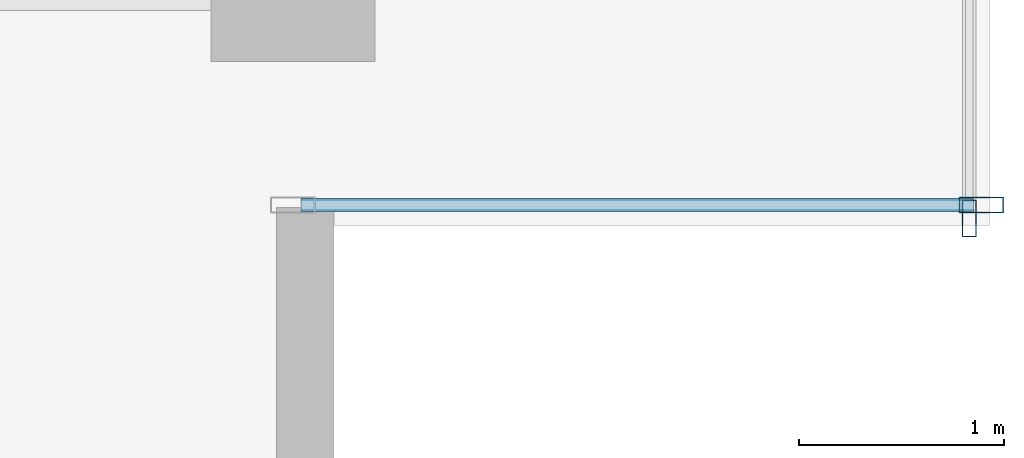
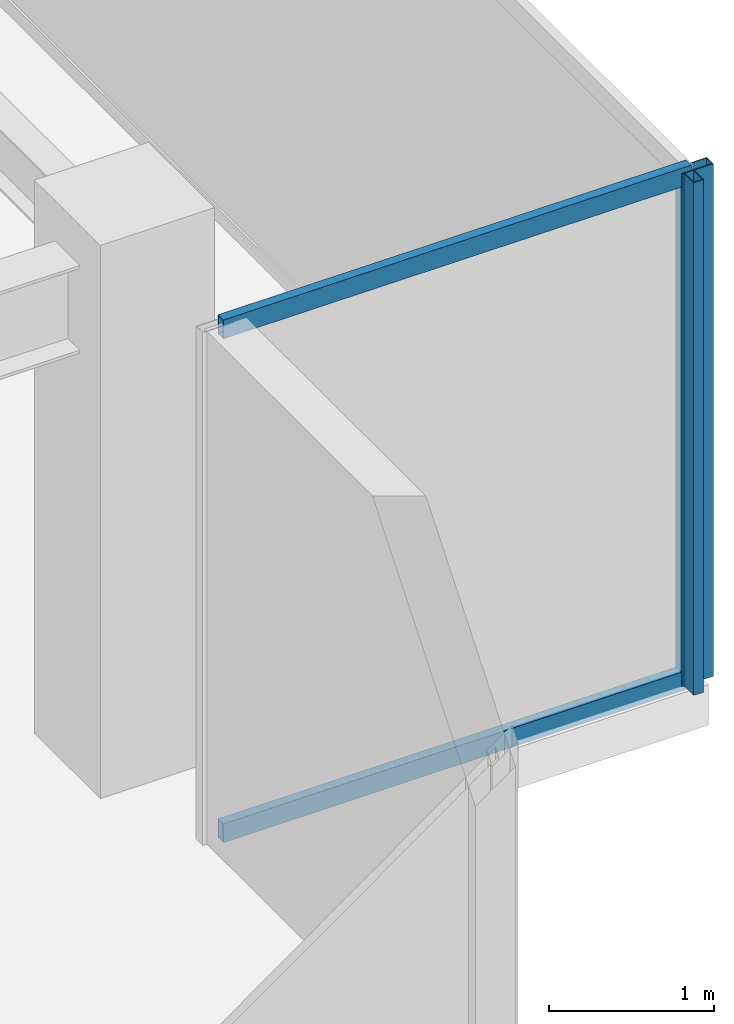
# One storey, part 22 of 33: 4 members, 2 elements without a shape of their own.
"""IFC4 building model written with IfcOpenShell, lengths in metres."""

from ifc_helpers import new_model, si_unit, direction, frame, origin, origin_2d, place, context, subcontext, project, spatial, hollow_rectangle, extrude, source, transform, mapped, material, layer, layer_set, material_profile, profile_set, type_object, type_shapes, element, aggregate, save


model = new_model("IFC4")

# Units and contexts
model_context = context("Model", 3, precision=1e-05, world=origin(), true_north=direction((0.0, 1.0)))
body_context = subcontext(model_context, "Body", "Model", "MODEL_VIEW")
ifc_project = project(units=[si_unit("LENGTHUNIT", "METRE"), si_unit("AREAUNIT", "SQUARE_METRE"), si_unit("VOLUMEUNIT", "CUBIC_METRE"), si_unit("PLANEANGLEUNIT", "RADIAN"), si_unit("MASSUNIT", "GRAM", prefix="KILO")], contexts=[model_context])

# Site, building, storey
site_placement = place(None, origin())
site = spatial("IfcSite", under=ifc_project, at=site_placement, CompositionType="ELEMENT")
building_placement = place(site_placement, origin())
building = spatial("IfcBuilding", under=site, at=building_placement, Name="Haelvirn Gate Laboratories", CompositionType="ELEMENT")
storey_placement = place(building_placement, frame((0.0, 0.0, 213.699951171875)))
storey = spatial("IfcBuildingStorey", under=building, at=storey_placement, Name="L51", CompositionType="ELEMENT", Elevation=213.699951171875)

# Curtain wall, members
ifc_material_1 = material(Name="Anodised bronze unitised aluminium & triple low-E glass", Category="aluminium")
ifc_layer_1 = layer(ifc_material_1, 0.181884765625, Name="CW-SYS-5")
ifc_layer_set_1 = layer_set([ifc_layer_1], Name="Anodised bronze unitised aluminium & triple low-E glass")
curtain_wall_type_1 = type_object("IfcCurtainWallType", Name="CW-SYS-5", PredefinedType="NOTDEFINED", material=ifc_layer_set_1)
curtain_wall_1_placement = place(storey_placement, origin())
curtain_wall_1 = element("IfcCurtainWall", 1, at=curtain_wall_1_placement, inside=storey, type_object=curtain_wall_type_1, Name="L51 Unitised Curtain Wall CW-L51-P0-E06-1", PredefinedType="NOTDEFINED")
ifc_material_2 = material(Name="Extruded aluminium 6063-T6 (anodised bronze)", Category="aluminium")
ifc_material_profile_1 = material_profile(ifc_material_2, hollow_rectangle(XDim=0.06494140625, YDim=0.139892578125, WallThickness=0.00390625, at=origin_2d()), Name="CWT-140x65x4")
ifc_profile_set_1 = profile_set([ifc_material_profile_1], Name="Extruded aluminium 6063-T6 (anodised bronze)")
member_type_1 = type_object("IfcMemberType", Name="CWT-T140", PredefinedType="USERDEFINED", material=ifc_profile_set_1)
shared_shape_1 = source(origin(), body_context, "Body", "SweptSolid", [
    extrude(hollow_rectangle(XDim=0.06494140625, YDim=0.139892578125, WallThickness=0.00390625, at=origin_2d()), origin(), (0.0, 0.0, 1.0), 3.280029296875),
])
type_shapes(member_type_1, [shared_shape_1])
member_1_placement = place(storey_placement, frame((67.43994140625, 5.89990234375, 0.032470703125), z_axis=(1.0, 0.0, 0.0), x_axis=(0.0, 1.0, 0.0)))
member_1 = element("IfcMember", 2, at=member_1_placement, type_object=member_type_1, Name="CW5 transom 1.1", ObjectType="TRANSOM", PredefinedType="USERDEFINED", context=body_context, shape_type="MappedRepresentation", body=[
    mapped(shared_shape_1, transform((0.0, 0.0, 0.0), scale=1.0)),
])
member_2_placement = place(storey_placement, frame((67.43994140625, 5.89990234375, 3.767578125), z_axis=(1.0, 0.0, 0.0), x_axis=(0.0, 1.0, 0.0)))
member_2 = element("IfcMember", 3, at=member_2_placement, type_object=member_type_1, Name="CW5 transom 1.2", ObjectType="TRANSOM", PredefinedType="USERDEFINED", context=body_context, shape_type="MappedRepresentation", body=[
    mapped(shared_shape_1, transform((0.0, 0.0, 0.0), scale=1.0)),
])

# Curtain wall, member
ifc_layer_2 = layer(ifc_material_1, 0.176025390625, Name="CW-SYS-4")
ifc_layer_set_2 = layer_set([ifc_layer_2], Name="Anodised bronze unitised aluminium & triple low-E glass")
curtain_wall_type_2 = type_object("IfcCurtainWallType", Name="CW-SYS-4", PredefinedType="NOTDEFINED", material=ifc_layer_set_2)
curtain_wall_2_placement = place(storey_placement, origin())
curtain_wall_2 = element("IfcCurtainWall", 4, at=curtain_wall_2_placement, inside=storey, type_object=curtain_wall_type_2, Name="L51 Unitised Curtain Wall CW-L51-P0-E07", PredefinedType="NOTDEFINED")
ifc_material_profile_2 = material_profile(ifc_material_2, hollow_rectangle(XDim=0.070068359375, YDim=0.179931640625, WallThickness=0.0048828125, at=origin_2d()), Name="CWM-180x70x5")
ifc_profile_set_2 = profile_set([ifc_material_profile_2], Name="Extruded aluminium 6063-T6 (anodised bronze)")
member_type_2 = type_object("IfcMemberType", Name="CWM-T180", PredefinedType="MULLION", material=ifc_profile_set_2)
shared_shape_2 = source(origin(), body_context, "Body", "SweptSolid", [
    extrude(hollow_rectangle(XDim=0.070068359375, YDim=0.179931640625, WallThickness=0.0048828125, at=origin_2d()), origin(), (0.0, 0.0, 1.0), 3.800048828125),
])
type_shapes(member_type_2, [shared_shape_2])
member_3_placement = place(storey_placement, frame((70.699951171875, 5.8349609375, 0.0), z_axis=(0.0, 0.0, 1.0), x_axis=(-1.0, 0.0, 0.0)))
member_3 = element("IfcMember", 5, at=member_3_placement, type_object=member_type_2, Name="CW4 mullion 1", PredefinedType="MULLION", context=body_context, shape_type="MappedRepresentation", body=[
    mapped(shared_shape_2, transform((0.0, 0.0, 0.0), scale=1.0)),
])
aggregate(curtain_wall_2, [member_3])

# Member
ifc_material_profile_3 = material_profile(ifc_material_2, hollow_rectangle(XDim=0.080078125, YDim=0.219970703125, WallThickness=0.006103515625, at=origin_2d()), Name="CWM-220x80x6")
ifc_profile_set_3 = profile_set([ifc_material_profile_3], Name="Extruded aluminium 6063-T6 (anodised bronze)")
member_type_3 = type_object("IfcMemberType", Name="CWM-T220", PredefinedType="MULLION", material=ifc_profile_set_3)
shared_shape_3 = source(origin(), body_context, "Body", "SweptSolid", [
    extrude(hollow_rectangle(XDim=0.080078125, YDim=0.219970703125, WallThickness=0.006103515625, at=origin_2d()), origin(), (0.0, 0.0, 1.0), 3.800048828125),
])
type_shapes(member_type_3, [shared_shape_3])
member_4_placement = place(storey_placement, frame((70.760009765625, 5.89990234375, 0.0), z_axis=(0.0, 0.0, 1.0), x_axis=(0.0, 1.0, 0.0)))
member_4 = element("IfcMember", 6, at=member_4_placement, type_object=member_type_3, Name="CW5 mullion 2", PredefinedType="MULLION", context=body_context, shape_type="MappedRepresentation", body=[
    mapped(shared_shape_3, transform((0.0, 0.0, 0.0), scale=1.0)),
])

aggregate(curtain_wall_1, [member_4, member_1, member_2])

save(model, "model.ifc")
